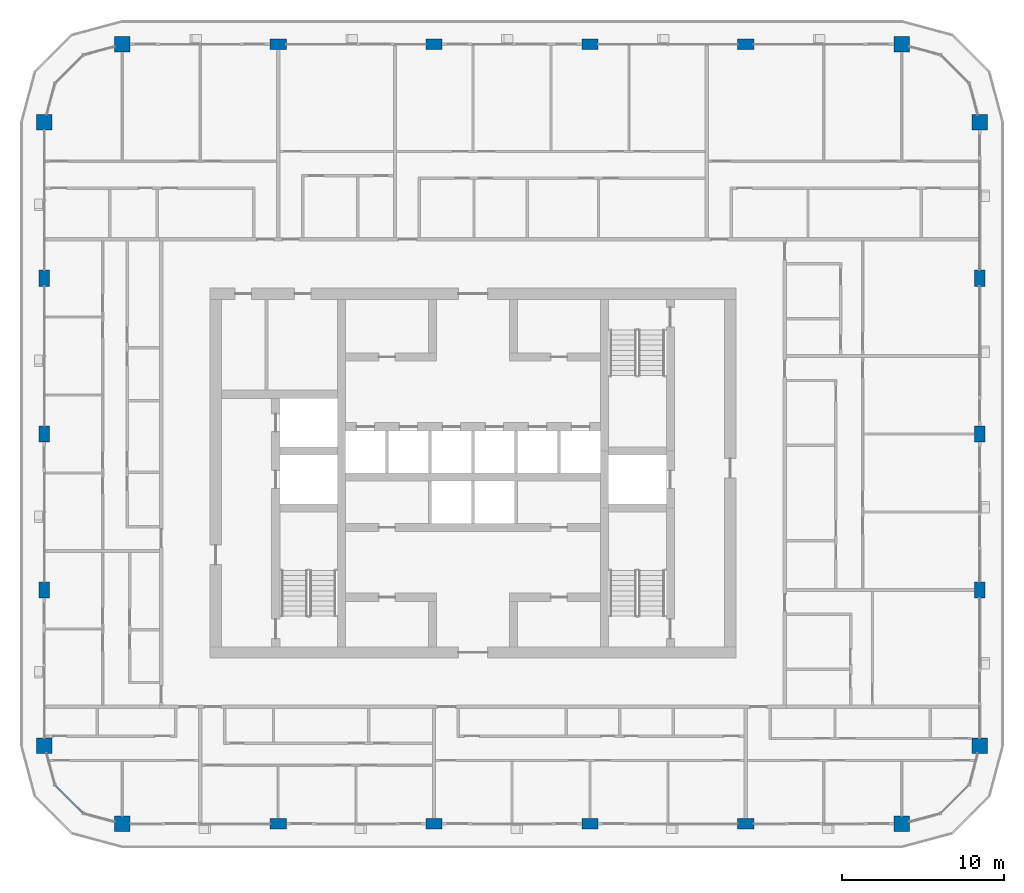
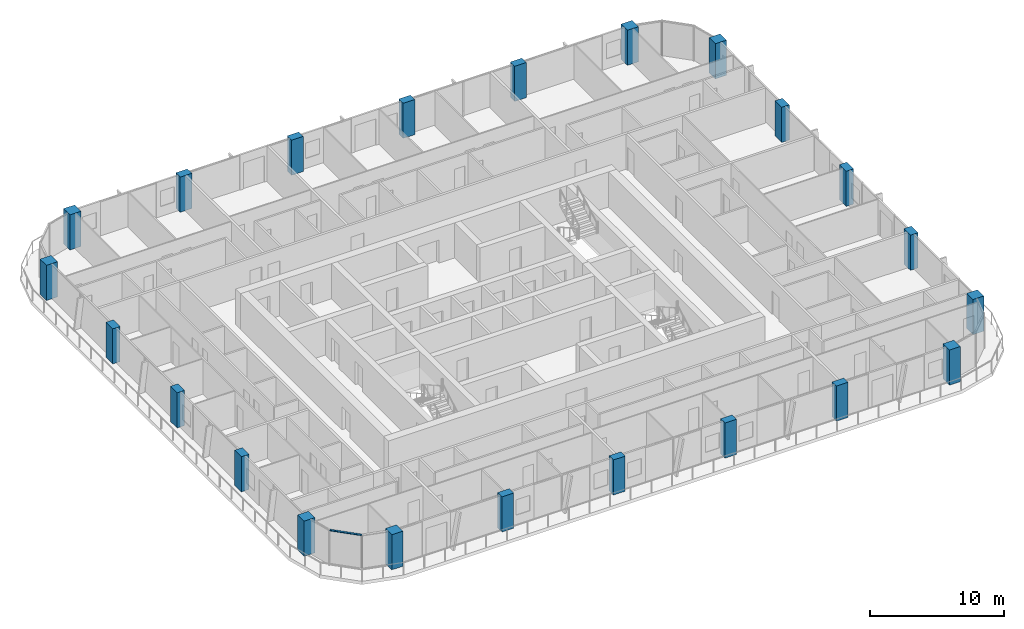
# One storey, part 1 of 23: 22 columns, 1 member, 1 element without a shape of its own.
"""IFC4 building model written with IfcOpenShell, lengths in metres."""

import ifcopenshell
import ifcopenshell.guid

model = None  # the IFC model being written
_history = None  # IfcOwnerHistory: only IFC2X3 demands one
_inside = {}  # id of a spatial element -> (the spatial element, [elements in it])
_under = {}  # id of a project, library or spatial element -> (it, [spatial elements below it])
_declared = {}  # id of a project -> (the project, [libraries it declares])
_typed = {}  # id of a type object -> (the type object, [elements of that type])
_made_of = {}  # id of a material, layer set ... -> (it, [elements and type objects made of it])


def new_model(schema):
    """Start an empty IFC model of exactly this schema.

    Asked for "IFC4X3", IfcOpenShell would pick the latest addendum, in which some entities
    have other attributes; the version numbers below select the first issue.
    IFC2X3 requires an IfcOwnerHistory on every rooted entity: one is made here for all.
    """
    global model, _history
    if schema == "IFC4X3":
        model = ifcopenshell.file(schema_version=(4, 3, 0, 0))
    else:
        model = ifcopenshell.file(schema=schema)
    _inside.clear()
    _under.clear()
    _declared.clear()
    _typed.clear()
    _made_of.clear()
    _history = None
    if model.schema == "IFC2X3":
        org = make("IfcOrganization", Name="unknown")
        user = make(
            "IfcPersonAndOrganization",
            ThePerson=make("IfcPerson", FamilyName="unknown"),
            TheOrganization=org,
        )
        app = make(
            "IfcApplication",
            ApplicationDeveloper=org,
            Version="unknown",
            ApplicationFullName="unknown",
            ApplicationIdentifier="unknown",
        )
        _history = make(
            "IfcOwnerHistory",
            OwningUser=user,
            OwningApplication=app,
            ChangeAction="ADDED",
            CreationDate=0,
        )
    return model


def make(cls, **values):
    """One entity of the class cls with the attributes given. An attribute that is None is left unset."""
    return model.create_entity(
        cls, **{name: value for name, value in values.items() if value is not None}
    )


def rooted(cls, **values):
    """An entity with a GlobalId (a new one), such as an element, a storey or a relation."""
    return make(cls, GlobalId=ifcopenshell.guid.new(), OwnerHistory=_history, **values)


def si_unit(unit_type, name, prefix=None):
    """IfcSIUnit, for example si_unit("LENGTHUNIT", "METRE", prefix="MILLI")."""
    return make("IfcSIUnit", UnitType=unit_type, Prefix=prefix, Name=name)


def assignment(units):
    """IfcUnitAssignment: the units of a project."""
    return None if units is None else make("IfcUnitAssignment", Units=units)


def point(xyz):
    """IfcCartesianPoint."""
    return None if xyz is None else make("IfcCartesianPoint", Coordinates=xyz)


def direction(xyz):
    """IfcDirection."""
    return None if xyz is None else make("IfcDirection", DirectionRatios=xyz)


def frame(location, z_axis=None, x_axis=None):
    """IfcAxis2Placement3D, a coordinate frame: its origin and axes. An axis left out is left unset."""
    return make(
        "IfcAxis2Placement3D",
        Location=point(location),
        Axis=direction(z_axis),
        RefDirection=direction(x_axis),
    )


def frame_2d(location, x_axis=None):
    """IfcAxis2Placement2D, a coordinate frame in the plane: its origin and x axis."""
    return make(
        "IfcAxis2Placement2D", Location=point(location), RefDirection=direction(x_axis)
    )


def origin():
    """The frame at (0, 0, 0) with its axes left unset."""
    return frame((0.0, 0.0, 0.0))


def origin_2d():
    """The frame at (0, 0) in the plane with its x axis left unset."""
    return frame_2d((0.0, 0.0))


def place(relative_to, where):
    """IfcLocalPlacement: puts the frame where relative to a parent placement (None: the world)."""
    return make(
        "IfcLocalPlacement", PlacementRelTo=relative_to, RelativePlacement=where
    )


def context(
    kind, dimensions, precision=None, world=None, true_north=None, identifier=None
):
    """IfcGeometricRepresentationContext, for example the 3D "Model" context."""
    return make(
        "IfcGeometricRepresentationContext",
        ContextIdentifier=identifier,
        ContextType=kind,
        CoordinateSpaceDimension=dimensions,
        Precision=precision,
        WorldCoordinateSystem=world,
        TrueNorth=true_north,
    )


def subcontext(parent, identifier, kind, view, scale=None):
    """IfcGeometricRepresentationSubContext, for example "Body" below "Model"."""
    return make(
        "IfcGeometricRepresentationSubContext",
        ContextIdentifier=identifier,
        ContextType=kind,
        ParentContext=parent,
        TargetScale=scale,
        TargetView=view,
    )


def project(units=None, contexts=None):
    """IfcProject with its units and contexts."""
    return rooted(
        "IfcProject",
        Name="project",
        RepresentationContexts=contexts,
        UnitsInContext=assignment(units),
    )


def spatial(cls, under=None, at=None, **own):
    """A site, building, storey or space (cls), placed at a placement, below another one or the project."""
    s = rooted(cls, ObjectPlacement=at, **own)
    if under is not None:
        _under.setdefault(under.id(), (under, []))[1].append(s)
    return s


def profile(cls, at=None, kind="AREA", **sizes):
    """A parametric profile (cls). Its sizes go by their IFC names, for example OverallWidth=200.0."""
    return make(cls, ProfileType=kind, Position=at, **sizes)


def rectangle(**sizes):
    """IfcRectangleProfileDef."""
    return profile("IfcRectangleProfileDef", **sizes)


def extrude(swept, where, along, depth):
    """IfcExtrudedAreaSolid: the profile swept, set in the frame where, extruded along a direction by depth."""
    return make(
        "IfcExtrudedAreaSolid",
        SweptArea=swept,
        Position=where,
        ExtrudedDirection=direction(along),
        Depth=depth,
    )


def shape(context_of_items, identifier, shape_type, items):
    """IfcShapeRepresentation: the items that make up one representation, for example the "Body"."""
    return make(
        "IfcShapeRepresentation",
        ContextOfItems=context_of_items,
        RepresentationIdentifier=identifier,
        RepresentationType=shape_type,
        Items=items,
    )


def material(Name=None, Category=None):
    """IfcMaterial."""
    return make("IfcMaterial", Name=Name, Category=Category)


def layer(
    of_material, thickness, ventilated=None, Name=None, Category=None, Priority=None
):
    """IfcMaterialLayer: one layer of a wall or slab, of a material (None: an air gap)."""
    return make(
        "IfcMaterialLayer",
        Material=of_material,
        LayerThickness=thickness,
        IsVentilated=ventilated,
        Name=Name,
        Category=Category,
        Priority=Priority,
    )


def layer_set(layers, Name=None):
    """IfcMaterialLayerSet."""
    return make("IfcMaterialLayerSet", MaterialLayers=layers, LayerSetName=Name)


def material_profile(
    of_material, cross_section, Name=None, Category=None, Priority=None
):
    """IfcMaterialProfile: a cross section and its material."""
    return make(
        "IfcMaterialProfile",
        Name=Name,
        Material=of_material,
        Profile=cross_section,
        Priority=Priority,
        Category=Category,
    )


def profile_set(profiles, Name=None, composite=None):
    """IfcMaterialProfileSet."""
    return make(
        "IfcMaterialProfileSet",
        Name=Name,
        MaterialProfiles=profiles,
        CompositeProfile=composite,
    )


def made_of(thing, what):
    """Note that an element or type object is made of a material, layer set ...; save() writes the relation."""
    if what is not None:
        _made_of.setdefault(what.id(), (what, []))[1].append(thing)
    return thing


def type_object(cls, material=None, **own):
    """A type object (cls), such as IfcWallType, which elements share."""
    return made_of(rooted(cls, **own), material)


def element(
    cls,
    number,
    at=None,
    inside=None,
    cuts=None,
    type_object=None,
    material=None,
    context=None,
    identifier="Body",
    shape_type=None,
    held_by="IfcProductDefinitionShape",
    body=None,
    shapes=None,
    **own,
):
    """One element of the class cls, such as IfcWall. Its Tag is "e" and its number.

    at: its placement. inside: the storey or other place that contains it. cuts: it is an
    opening in that element (IfcRelVoidsElement). A single representation is given by context,
    identifier, shape_type and body (its items); several are given by shapes. held_by: the class
    of the entity that holds the representations. save() writes the other relations.
    """
    e = rooted(cls, Tag="e%d" % number, ObjectPlacement=at, **own)
    if body is not None:
        shapes = [shape(context, identifier, shape_type, body)]
    if shapes is not None:
        e.Representation = make(held_by, Representations=shapes)
    if inside is not None:
        _inside.setdefault(inside.id(), (inside, []))[1].append(e)
    if cuts is not None:
        rooted(
            "IfcRelVoidsElement", RelatingBuildingElement=cuts, RelatedOpeningElement=e
        )
    if type_object is not None:
        _typed.setdefault(type_object.id(), (type_object, []))[1].append(e)
    return made_of(e, material)


def aggregate(whole, parts):
    """IfcRelAggregates: a whole, such as a stair, and the parts it consists of."""
    return rooted("IfcRelAggregates", RelatingObject=whole, RelatedObjects=parts)


def save(model, path):
    """Write the relations noted so far, then the file.

    IfcRelAggregates (storeys below a building ...), IfcRelContainedInSpatialStructure (elements
    in a storey), IfcRelDefinesByType, IfcRelAssociatesMaterial and IfcRelDeclares: one each for
    every whole, place, type object, material and project.
    """
    for whole, parts in _under.values():
        aggregate(whole, parts)
    for where, things in _inside.values():
        rooted(
            "IfcRelContainedInSpatialStructure",
            RelatedElements=things,
            RelatingStructure=where,
        )
    for kind, things in _typed.values():
        rooted("IfcRelDefinesByType", RelatedObjects=things, RelatingType=kind)
    for what, things in _made_of.values():
        rooted("IfcRelAssociatesMaterial", RelatedObjects=things, RelatingMaterial=what)
    for by, libraries in _declared.values():
        rooted("IfcRelDeclares", RelatingContext=by, RelatedDefinitions=libraries)
    model.write(path)


model = new_model("IFC4")

# Units and contexts
model_context = context("Model", 3, precision=1e-05, world=origin(), true_north=direction((0.0, 1.0)))
body_context = subcontext(model_context, "Body", "Model", "MODEL_VIEW")
ifc_project = project(units=[si_unit("LENGTHUNIT", "METRE"), si_unit("AREAUNIT", "SQUARE_METRE"), si_unit("VOLUMEUNIT", "CUBIC_METRE"), si_unit("PLANEANGLEUNIT", "RADIAN"), si_unit("MASSUNIT", "GRAM", prefix="KILO")], contexts=[model_context])

# Site, building, storey
site_placement = place(None, origin())
site = spatial("IfcSite", under=ifc_project, at=site_placement, CompositionType="ELEMENT")
building_placement = place(site_placement, origin())
building = spatial("IfcBuilding", under=site, at=building_placement, Name="Madar Terraces", CompositionType="ELEMENT")
storey_placement = place(building_placement, frame((0.0, 0.0, 219.300048828125)))
storey = spatial("IfcBuildingStorey", under=building, at=storey_placement, Name="L57", CompositionType="ELEMENT", Elevation=219.300048828125)

# Columns
ifc_material_1 = material(Name="Concrete C60/75", Category="concrete")
ifc_material_profile_1 = material_profile(ifc_material_1, rectangle(XDim=1.0, YDim=0.64990234375, at=origin_2d()), Name="CC4 RC 1000x650")
ifc_profile_set_1 = profile_set([ifc_material_profile_1], Name="Concrete C60/75")
column_type_1 = type_object("IfcColumnType", Name="CC4 RC 1000x650", PredefinedType="COLUMN", material=ifc_profile_set_1)
for number, where, z_axis, x_axis, name in (
    (1, (19.199951171875, 4.800048828125, 0.0), (0.0, 0.0, 1.0), (1.0, 0.0, 0.0), "Perimeter column S2"),
    (2, (28.800048828125, 4.800048828125, 0.0), (0.0, 0.0, 1.0), (1.0, 0.0, 0.0), "Perimeter column S3"),
    (3, (38.39990234375, 4.800048828125, 0.0), (0.0, 0.0, 1.0), (1.0, 0.0, 0.0), "Perimeter column S4"),
    (4, (48.0, 4.800048828125, 0.0), (0.0, 0.0, 1.0), (1.0, 0.0, 0.0), "Perimeter column S5"),
    (5, (62.39990234375, 19.199951171875, 0.0), (0.0, 0.0, 1.0), (0.0, 1.0, 0.0), "Perimeter column E2"),
    (6, (62.39990234375, 28.800048828125, 0.0), (0.0, 0.0, 1.0), (0.0, 1.0, 0.0), "Perimeter column E3"),
    (7, (62.39990234375, 38.39990234375, 0.0), (0.0, 0.0, 1.0), (0.0, 1.0, 0.0), "Perimeter column E4"),
    (8, (48.0, 52.800048828125, 0.0), (0.0, 0.0, 1.0), (1.0, 0.0, 0.0), "Perimeter column N2"),
    (9, (38.39990234375, 52.800048828125, 0.0), (0.0, 0.0, 1.0), (1.0, 0.0, 0.0), "Perimeter column N3"),
    (10, (28.800048828125, 52.800048828125, 0.0), (0.0, 0.0, 1.0), (1.0, 0.0, 0.0), "Perimeter column N4"),
    (11, (19.199951171875, 52.800048828125, 0.0), (0.0, 0.0, 1.0), (1.0, 0.0, 0.0), "Perimeter column N5"),
    (12, (4.800048828125, 38.39990234375, 0.0), (0.0, 0.0, 1.0), (0.0, 1.0, 0.0), "Perimeter column W2"),
    (13, (4.800048828125, 28.800048828125, 0.0), (0.0, 0.0, 1.0), (0.0, 1.0, 0.0), "Perimeter column W3"),
    (14, (4.800048828125, 19.199951171875, 0.0), (0.0, 0.0, 1.0), (0.0, 1.0, 0.0), "Perimeter column W4"),
):
    element("IfcColumn", number, at=place(storey_placement, frame(where, z_axis=z_axis, x_axis=x_axis)), inside=storey, type_object=column_type_1, Name=name, PredefinedType="COLUMN", context=body_context, shape_type="SweptSolid", body=[
        extrude(rectangle(XDim=1.0, YDim=0.64990234375, at=origin_2d()), origin(), (0.0, 0.0, 1.0), 3.199951171875),
    ])
ifc_material_2 = material(Name="Concrete C60/75", Category="concrete")
ifc_material_profile_2 = material_profile(ifc_material_2, rectangle(XDim=0.949951171875, YDim=0.949951171875, at=origin_2d()), Name="KC4 RC 950x950")
ifc_profile_set_2 = profile_set([ifc_material_profile_2], Name="Concrete C60/75")
column_type_2 = type_object("IfcColumnType", Name="KC4 RC 950x950", PredefinedType="COLUMN", material=ifc_profile_set_2)
for number, where, z_axis, x_axis, name in (
    (15, (9.60009765625, 4.800048828125, 0.0), (0.0, 0.0, 1.0), (1.0, 0.0, 0.0), "Perimeter column S1"),
    (16, (57.60009765625, 4.800048828125, 0.0), (0.0, 0.0, 1.0), (1.0, 0.0, 0.0), "Perimeter column S6"),
    (17, (62.39990234375, 9.60009765625, 0.0), (0.0, 0.0, 1.0), (1.0, 0.0, 0.0), "Perimeter column E1"),
    (18, (62.39990234375, 48.0, 0.0), (0.0, 0.0, 1.0), (1.0, 0.0, 0.0), "Perimeter column E5"),
    (19, (57.60009765625, 52.800048828125, 0.0), (0.0, 0.0, 1.0), (1.0, 0.0, 0.0), "Perimeter column N1"),
    (20, (9.60009765625, 52.800048828125, 0.0), (0.0, 0.0, 1.0), (1.0, 0.0, 0.0), "Perimeter column N6"),
    (21, (4.800048828125, 48.0, 0.0), (0.0, 0.0, 1.0), (1.0, 0.0, 0.0), "Perimeter column W1"),
    (22, (4.800048828125, 9.60009765625, 0.0), (0.0, 0.0, 1.0), (1.0, 0.0, 0.0), "Perimeter column W5"),
):
    element("IfcColumn", number, at=place(storey_placement, frame(where, z_axis=z_axis, x_axis=x_axis)), inside=storey, type_object=column_type_2, Name=name, PredefinedType="COLUMN", context=body_context, shape_type="SweptSolid", body=[
        extrude(rectangle(XDim=0.949951171875, YDim=0.949951171875, at=origin_2d()), origin(), (0.0, 0.0, 1.0), 3.199951171875),
    ])

# Curtain wall, member
ifc_material_3 = material(Name="Glass, ceramic frit dark grey, with black aluminium frame", Category="aluminium")
ifc_layer = layer(ifc_material_3, 0.199951171875)
ifc_layer_set = layer_set([ifc_layer], Name="Facade curtain wall, fritted glass")
curtain_wall_type = type_object("IfcCurtainWallType", Name="Facade curtain wall, fritted glass", PredefinedType="NOTDEFINED", material=ifc_layer_set)
curtain_wall_placement = place(storey_placement, origin())
curtain_wall = element("IfcCurtainWall", 23, at=curtain_wall_placement, inside=storey, type_object=curtain_wall_type, Name="Outer skin curtain wall south-west corner", PredefinedType="NOTDEFINED")
ifc_material_4 = material(Name="Aluminium, black anodised", Category="aluminium")
ifc_material_profile_3 = material_profile(ifc_material_4, rectangle(XDim=0.1201171875, YDim=0.06005859375, at=origin_2d()), Name="Facade transom 60x120")
ifc_profile_set_3 = profile_set([ifc_material_profile_3], Name="Aluminium, black anodised")
member_type = type_object("IfcMemberType", Name="Facade transom 60x120", PredefinedType="USERDEFINED", material=ifc_profile_set_3)
member_placement = place(storey_placement, frame((5.46435546875, 7.1787109375, 3.169921875), z_axis=(0.707106781187, -0.707106781187, 0.0), x_axis=(0.707106781187, 0.707106781187, 0.0)))
member = element("IfcMember", 24, at=member_placement, type_object=member_type, Name="Transom 2", ObjectType="TRANSOM", PredefinedType="USERDEFINED", context=body_context, shape_type="SweptSolid", body=[
    extrude(rectangle(XDim=0.1201171875, YDim=0.06005859375, at=origin_2d()), origin(), (0.0, 0.0, 1.0), 2.424560546875),
])
aggregate(curtain_wall, [member])

save(model, "model.ifc")
